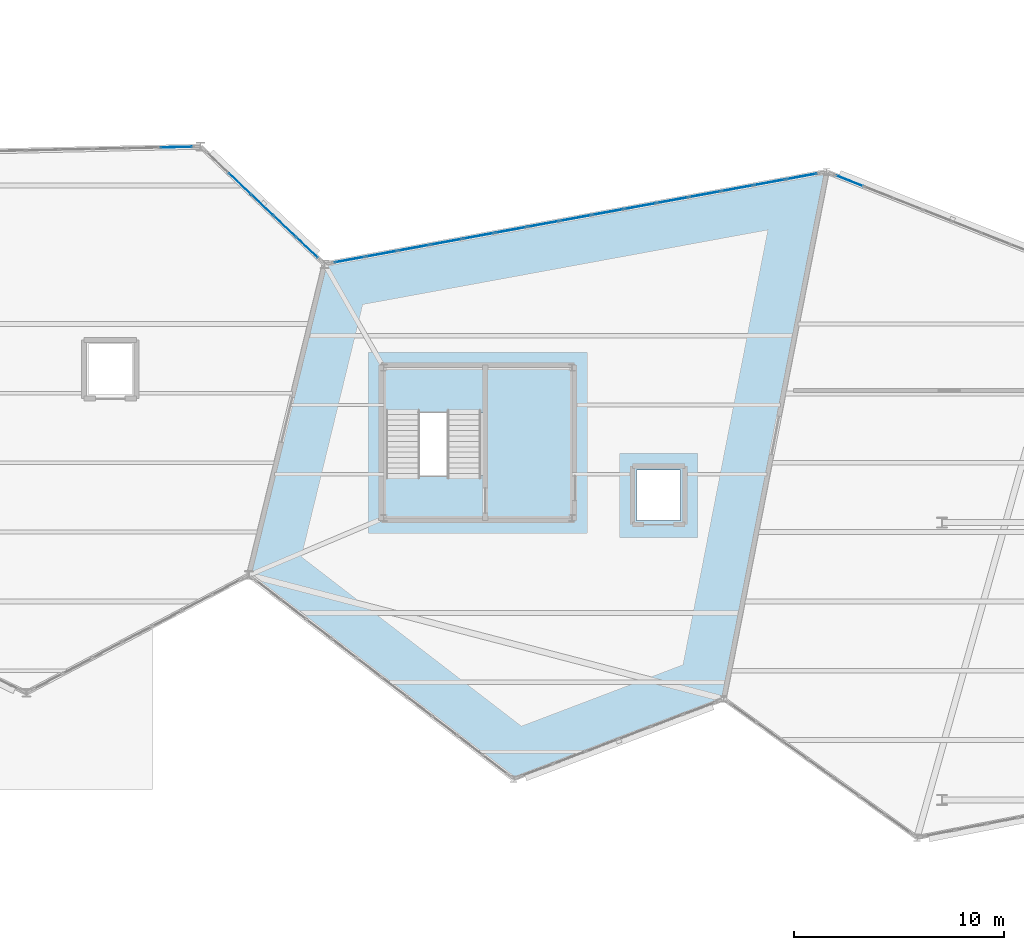
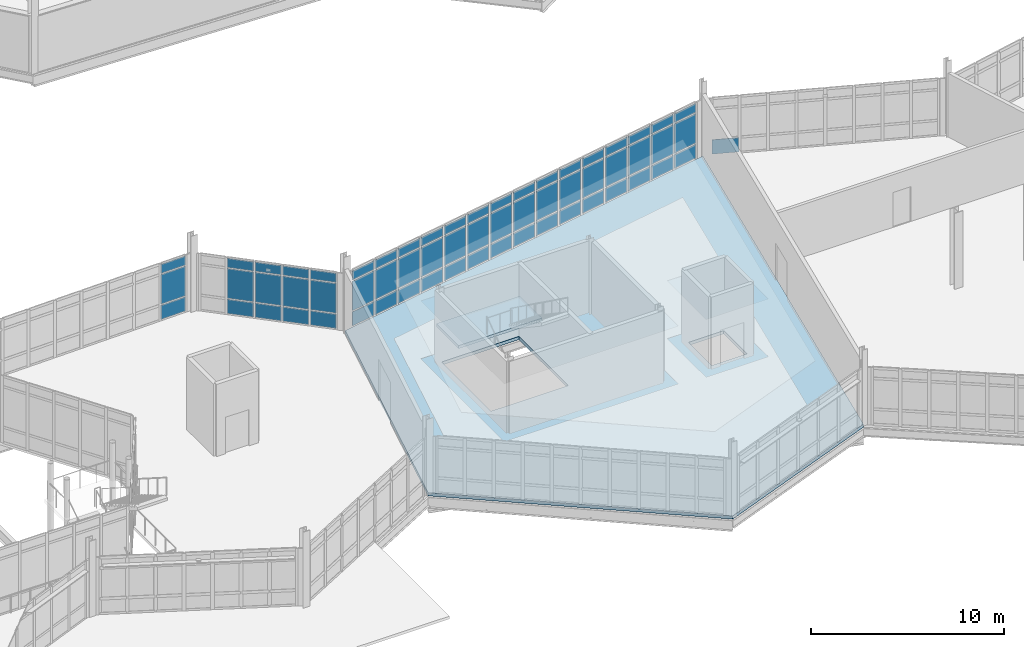
# One storey, part 90 of 134: 61 plates, 2 slabs, 5 elements without a shape of their own.
"""IFC4 building model written with IfcOpenShell, lengths in metres."""

from ifc_helpers import new_model, si_unit, direction, frame, origin, origin_2d, place, context, subcontext, project, spatial, polyline, rectangle, outline, extrude, material, layer, layer_set, type_object, element, aggregate, save


model = new_model("IFC4")

# Units and contexts
model_context = context("Model", 3, precision=1e-05, world=origin(), true_north=direction((0.0, 1.0)))
body_context = subcontext(model_context, "Body", "Model", "MODEL_VIEW")
ifc_project = project(units=[si_unit("LENGTHUNIT", "METRE"), si_unit("AREAUNIT", "SQUARE_METRE"), si_unit("VOLUMEUNIT", "CUBIC_METRE"), si_unit("PLANEANGLEUNIT", "RADIAN"), si_unit("MASSUNIT", "GRAM", prefix="KILO")], contexts=[model_context])

# Site, building, storey
site_placement = place(None, origin())
site = spatial("IfcSite", under=ifc_project, at=site_placement, CompositionType="ELEMENT")
building_placement = place(site_placement, origin())
building = spatial("IfcBuilding", under=site, at=building_placement, Name="Tameran Prism Museum", CompositionType="ELEMENT")
storey_placement = place(building_placement, frame((0.0, 0.0, 5.39990234375)))
storey = spatial("IfcBuildingStorey", under=building, at=storey_placement, Name="L01", CompositionType="ELEMENT", Elevation=5.39990234375)

# Curtain wall, plates
ifc_material_1 = material(Name="Anodised Aluminium 6063-T6 and Cyclone Solar Glass", Category="aluminium")
curtain_wall_type_1 = type_object("IfcCurtainWallType", Name="CW-FAC-738x362", PredefinedType="USERDEFINED", material=ifc_material_1)
curtain_wall_1_placement = place(storey_placement, origin())
curtain_wall_1 = element("IfcCurtainWall", 1, at=curtain_wall_1_placement, inside=storey, type_object=curtain_wall_type_1, Name="Unitised Curtain Wall CW-067", ObjectType="UNITISED CURTAIN WALL", PredefinedType="USERDEFINED")
ifc_material_2 = material(Name="Cyclone Laminated Solar Glass", Category="glass")
ifc_layer_1 = layer(ifc_material_2, 0.031982421875)
ifc_layer_set_1 = layer_set([ifc_layer_1])
plate_type = type_object("IfcPlateType", Name="CW-PNL-G32", PredefinedType="CURTAIN_PANEL", material=ifc_layer_set_1)
plate_1_placement = place(storey_placement, frame((97.65869140625, 46.8359375, 0.06494140625), z_axis=(0.0, 0.0, 1.0), x_axis=(0.725307438491, -0.688425100987, 0.0)))
plate_1 = element("IfcPlate", 2, at=plate_1_placement, type_object=plate_type, Name="CW-067 panel 2.1", PredefinedType="CURTAIN_PANEL", context=body_context, shape_type="SweptSolid", body=[
    extrude(rectangle(XDim=1.409912109375, YDim=0.031982421875, at=origin_2d()), origin(), (0.0, 0.0, 1.0), 0.902587890625),
])
plate_2_placement = place(storey_placement, frame((97.65869140625, 46.8359375, 1.03271484375), z_axis=(0.0, 0.0, 1.0), x_axis=(0.725307438491, -0.688425100987, 0.0)))
plate_2 = element("IfcPlate", 3, at=plate_2_placement, type_object=plate_type, Name="CW-067 panel 2.2", PredefinedType="CURTAIN_PANEL", context=body_context, shape_type="SweptSolid", body=[
    extrude(rectangle(XDim=1.409912109375, YDim=0.031982421875, at=origin_2d()), origin(), (0.0, 0.0, 1.0), 1.875),
])
plate_3_placement = place(storey_placement, frame((97.65869140625, 46.8359375, 2.97265625), z_axis=(0.0, 0.0, 1.0), x_axis=(0.725307438491, -0.688425100987, 0.0)))
plate_3 = element("IfcPlate", 4, at=plate_3_placement, type_object=plate_type, Name="CW-067 panel 2.3", PredefinedType="CURTAIN_PANEL", context=body_context, shape_type="SweptSolid", body=[
    extrude(rectangle(XDim=1.409912109375, YDim=0.031982421875, at=origin_2d()), origin(), (0.0, 0.0, 1.0), 0.58251953125),
])
plate_4_placement = place(storey_placement, frame((98.728515625, 45.820556640625, 0.06494140625), z_axis=(0.0, 0.0, 1.0), x_axis=(0.725307438491, -0.688425100987, 0.0)))
plate_4 = element("IfcPlate", 5, at=plate_4_placement, type_object=plate_type, Name="CW-067 panel 3.1", PredefinedType="CURTAIN_PANEL", context=body_context, shape_type="SweptSolid", body=[
    extrude(rectangle(XDim=1.409912109375, YDim=0.031982421875, at=origin_2d()), origin(), (0.0, 0.0, 1.0), 0.902587890625),
])
plate_5_placement = place(storey_placement, frame((98.728515625, 45.820556640625, 1.03271484375), z_axis=(0.0, 0.0, 1.0), x_axis=(0.725307438491, -0.688425100987, 0.0)))
plate_5 = element("IfcPlate", 6, at=plate_5_placement, type_object=plate_type, Name="CW-067 panel 3.2", PredefinedType="CURTAIN_PANEL", context=body_context, shape_type="SweptSolid", body=[
    extrude(rectangle(XDim=1.409912109375, YDim=0.031982421875, at=origin_2d()), origin(), (0.0, 0.0, 1.0), 1.875),
])
plate_6_placement = place(storey_placement, frame((98.728515625, 45.820556640625, 2.97265625), z_axis=(0.0, 0.0, 1.0), x_axis=(0.725307438491, -0.688425100987, 0.0)))
plate_6 = element("IfcPlate", 7, at=plate_6_placement, type_object=plate_type, Name="CW-067 panel 3.3", PredefinedType="CURTAIN_PANEL", context=body_context, shape_type="SweptSolid", body=[
    extrude(rectangle(XDim=1.409912109375, YDim=0.031982421875, at=origin_2d()), origin(), (0.0, 0.0, 1.0), 0.58251953125),
])
plate_7_placement = place(storey_placement, frame((99.79833984375, 44.80517578125, 0.06494140625), z_axis=(0.0, 0.0, 1.0), x_axis=(0.725307438491, -0.688425100987, 0.0)))
plate_7 = element("IfcPlate", 8, at=plate_7_placement, type_object=plate_type, Name="CW-067 panel 4.1", PredefinedType="CURTAIN_PANEL", context=body_context, shape_type="SweptSolid", body=[
    extrude(rectangle(XDim=1.409912109375, YDim=0.031982421875, at=origin_2d()), origin(), (0.0, 0.0, 1.0), 0.902587890625),
])
plate_8_placement = place(storey_placement, frame((99.79833984375, 44.80517578125, 1.03271484375), z_axis=(0.0, 0.0, 1.0), x_axis=(0.725307438491, -0.688425100987, 0.0)))
plate_8 = element("IfcPlate", 9, at=plate_8_placement, type_object=plate_type, Name="CW-067 panel 4.2", PredefinedType="CURTAIN_PANEL", context=body_context, shape_type="SweptSolid", body=[
    extrude(rectangle(XDim=1.409912109375, YDim=0.031982421875, at=origin_2d()), origin(), (0.0, 0.0, 1.0), 1.875),
])
plate_9_placement = place(storey_placement, frame((99.79833984375, 44.80517578125, 2.97265625), z_axis=(0.0, 0.0, 1.0), x_axis=(0.725307438491, -0.688425100987, 0.0)))
plate_9 = element("IfcPlate", 10, at=plate_9_placement, type_object=plate_type, Name="CW-067 panel 4.3", PredefinedType="CURTAIN_PANEL", context=body_context, shape_type="SweptSolid", body=[
    extrude(rectangle(XDim=1.409912109375, YDim=0.031982421875, at=origin_2d()), origin(), (0.0, 0.0, 1.0), 0.58251953125),
])
plate_10_placement = place(storey_placement, frame((100.856201171875, 43.80078125, 0.06494140625), z_axis=(0.0, 0.0, 1.0), x_axis=(0.725307438491, -0.688425100987, 0.0)))
plate_10 = element("IfcPlate", 11, at=plate_10_placement, type_object=plate_type, Name="CW-067 panel 5.1", PredefinedType="CURTAIN_PANEL", context=body_context, shape_type="SweptSolid", body=[
    extrude(rectangle(XDim=1.37744140625, YDim=0.031982421875, at=origin_2d()), origin(), (0.0, 0.0, 1.0), 0.902587890625),
])
plate_11_placement = place(storey_placement, frame((100.856201171875, 43.80078125, 1.03271484375), z_axis=(0.0, 0.0, 1.0), x_axis=(0.725307438491, -0.688425100987, 0.0)))
plate_11 = element("IfcPlate", 12, at=plate_11_placement, type_object=plate_type, Name="CW-067 panel 5.2", PredefinedType="CURTAIN_PANEL", context=body_context, shape_type="SweptSolid", body=[
    extrude(rectangle(XDim=1.37744140625, YDim=0.031982421875, at=origin_2d()), origin(), (0.0, 0.0, 1.0), 1.875),
])
plate_12_placement = place(storey_placement, frame((100.856201171875, 43.80078125, 2.97265625), z_axis=(0.0, 0.0, 1.0), x_axis=(0.725307438491, -0.688425100987, 0.0)))
plate_12 = element("IfcPlate", 13, at=plate_12_placement, type_object=plate_type, Name="CW-067 panel 5.3", PredefinedType="CURTAIN_PANEL", context=body_context, shape_type="SweptSolid", body=[
    extrude(rectangle(XDim=1.37744140625, YDim=0.031982421875, at=origin_2d()), origin(), (0.0, 0.0, 1.0), 0.58251953125),
])
aggregate(curtain_wall_1, [plate_1, plate_2, plate_3, plate_4, plate_5, plate_6, plate_7, plate_8, plate_9, plate_10, plate_11, plate_12])

ifc_material_3 = material(Name="Anodised Aluminium 6063-T6 and Cyclone Solar Glass", Category="aluminium")
curtain_wall_type_2 = type_object("IfcCurtainWallType", Name="CW-FAC-1754x362", PredefinedType="USERDEFINED", material=ifc_material_3)
curtain_wall_2_placement = place(storey_placement, origin())
curtain_wall_2 = element("IfcCurtainWall", 14, at=curtain_wall_2_placement, inside=storey, type_object=curtain_wall_type_2, Name="Unitised Curtain Wall CW-068", ObjectType="UNITISED CURTAIN WALL", PredefinedType="USERDEFINED")
plate_13_placement = place(storey_placement, frame((94.63525390625, 48.57421875, 0.070068359375), z_axis=(0.0, 0.0, 1.0), x_axis=(0.999761684053, 0.021830600058, 0.0)))
plate_13 = element("IfcPlate", 15, at=plate_13_placement, type_object=plate_type, Name="CW-068 panel 11.1", PredefinedType="CURTAIN_PANEL", context=body_context, shape_type="SweptSolid", body=[
    extrude(rectangle(XDim=1.489990234375, YDim=0.031982421875, at=origin_2d()), origin(), (0.0, 0.0, 1.0), 0.89501953125),
])
plate_14_placement = place(storey_placement, frame((94.63525390625, 48.57421875, 1.03515625), z_axis=(0.0, 0.0, 1.0), x_axis=(0.999761684053, 0.021830600058, 0.0)))
plate_14 = element("IfcPlate", 16, at=plate_14_placement, type_object=plate_type, Name="CW-068 panel 11.2", PredefinedType="CURTAIN_PANEL", context=body_context, shape_type="SweptSolid", body=[
    extrude(rectangle(XDim=1.489990234375, YDim=0.031982421875, at=origin_2d()), origin(), (0.0, 0.0, 1.0), 1.8701171875),
])
plate_15_placement = place(storey_placement, frame((94.63525390625, 48.57421875, 2.97509765625), z_axis=(0.0, 0.0, 1.0), x_axis=(0.999761684053, 0.021830600058, 0.0)))
plate_15 = element("IfcPlate", 17, at=plate_15_placement, type_object=plate_type, Name="CW-068 panel 11.3", PredefinedType="CURTAIN_PANEL", context=body_context, shape_type="SweptSolid", body=[
    extrude(rectangle(XDim=1.489990234375, YDim=0.031982421875, at=origin_2d()), origin(), (0.0, 0.0, 1.0), 0.574951171875),
])
aggregate(curtain_wall_2, [plate_13, plate_14, plate_15])

ifc_material_4 = material(Name="Anodised Aluminium 6063-T6 and Cyclone Solar Glass", Category="aluminium")
curtain_wall_type_3 = type_object("IfcCurtainWallType", Name="CW-FAC-2348x362", PredefinedType="USERDEFINED", material=ifc_material_4)
curtain_wall_3_placement = place(storey_placement, origin())
curtain_wall_3 = element("IfcCurtainWall", 18, at=curtain_wall_3_placement, inside=storey, type_object=curtain_wall_type_3, Name="Unitised Curtain Wall CW-074", ObjectType="UNITISED CURTAIN WALL", PredefinedType="USERDEFINED")
plate_16_placement = place(storey_placement, frame((102.892333984375, 43.21923828125, 0.080078125), z_axis=(0.0, 0.0, 1.0), x_axis=(0.98347155585, 0.181062693106, 0.0)))
plate_16 = element("IfcPlate", 19, at=plate_16_placement, type_object=plate_type, Name="CW-074 panel 1.1", PredefinedType="CURTAIN_PANEL", context=body_context, shape_type="SweptSolid", body=[
    extrude(rectangle(XDim=1.4453125, YDim=0.031982421875, at=origin_2d()), origin(), (0.0, 0.0, 1.0), 0.8798828125),
])
plate_17_placement = place(storey_placement, frame((102.892333984375, 43.21923828125, 1.0400390625), z_axis=(0.0, 0.0, 1.0), x_axis=(0.98347155585, 0.181062693106, 0.0)))
plate_17 = element("IfcPlate", 20, at=plate_17_placement, type_object=plate_type, Name="CW-074 panel 1.2", PredefinedType="CURTAIN_PANEL", context=body_context, shape_type="SweptSolid", body=[
    extrude(rectangle(XDim=1.4453125, YDim=0.031982421875, at=origin_2d()), origin(), (0.0, 0.0, 1.0), 1.860107421875),
])
plate_18_placement = place(storey_placement, frame((102.892333984375, 43.21923828125, 2.97998046875), z_axis=(0.0, 0.0, 1.0), x_axis=(0.98347155585, 0.181062693106, 0.0)))
plate_18 = element("IfcPlate", 21, at=plate_18_placement, type_object=plate_type, Name="CW-074 panel 1.3", PredefinedType="CURTAIN_PANEL", context=body_context, shape_type="SweptSolid", body=[
    extrude(rectangle(XDim=1.4453125, YDim=0.031982421875, at=origin_2d()), origin(), (0.0, 0.0, 1.0), 0.56005859375),
])
plate_19_placement = place(storey_placement, frame((104.412109375, 43.4990234375, 0.080078125), z_axis=(0.0, 0.0, 1.0), x_axis=(0.98347155585, 0.181062693106, 0.0)))
plate_19 = element("IfcPlate", 22, at=plate_19_placement, type_object=plate_type, Name="CW-074 panel 2.1", PredefinedType="CURTAIN_PANEL", context=body_context, shape_type="SweptSolid", body=[
    extrude(rectangle(XDim=1.485107421875, YDim=0.031982421875, at=origin_2d()), origin(), (0.0, 0.0, 1.0), 0.8798828125),
])
plate_20_placement = place(storey_placement, frame((104.412109375, 43.4990234375, 1.0400390625), z_axis=(0.0, 0.0, 1.0), x_axis=(0.98347155585, 0.181062693106, 0.0)))
plate_20 = element("IfcPlate", 23, at=plate_20_placement, type_object=plate_type, Name="CW-074 panel 2.2", PredefinedType="CURTAIN_PANEL", context=body_context, shape_type="SweptSolid", body=[
    extrude(rectangle(XDim=1.485107421875, YDim=0.031982421875, at=origin_2d()), origin(), (0.0, 0.0, 1.0), 1.860107421875),
])
plate_21_placement = place(storey_placement, frame((104.412109375, 43.4990234375, 2.97998046875), z_axis=(0.0, 0.0, 1.0), x_axis=(0.98347155585, 0.181062693106, 0.0)))
plate_21 = element("IfcPlate", 24, at=plate_21_placement, type_object=plate_type, Name="CW-074 panel 2.3", PredefinedType="CURTAIN_PANEL", context=body_context, shape_type="SweptSolid", body=[
    extrude(rectangle(XDim=1.485107421875, YDim=0.031982421875, at=origin_2d()), origin(), (0.0, 0.0, 1.0), 0.56005859375),
])
plate_22_placement = place(storey_placement, frame((105.951416015625, 43.782470703125, 0.080078125), z_axis=(0.0, 0.0, 1.0), x_axis=(0.98347155585, 0.181062693106, 0.0)))
plate_22 = element("IfcPlate", 25, at=plate_22_placement, type_object=plate_type, Name="CW-074 panel 3.1", PredefinedType="CURTAIN_PANEL", context=body_context, shape_type="SweptSolid", body=[
    extrude(rectangle(XDim=1.485107421875, YDim=0.031982421875, at=origin_2d()), origin(), (0.0, 0.0, 1.0), 0.8798828125),
])
plate_23_placement = place(storey_placement, frame((105.951416015625, 43.782470703125, 1.0400390625), z_axis=(0.0, 0.0, 1.0), x_axis=(0.98347155585, 0.181062693106, 0.0)))
plate_23 = element("IfcPlate", 26, at=plate_23_placement, type_object=plate_type, Name="CW-074 panel 3.2", PredefinedType="CURTAIN_PANEL", context=body_context, shape_type="SweptSolid", body=[
    extrude(rectangle(XDim=1.485107421875, YDim=0.031982421875, at=origin_2d()), origin(), (0.0, 0.0, 1.0), 1.860107421875),
])
plate_24_placement = place(storey_placement, frame((105.951416015625, 43.782470703125, 2.97998046875), z_axis=(0.0, 0.0, 1.0), x_axis=(0.98347155585, 0.181062693106, 0.0)))
plate_24 = element("IfcPlate", 27, at=plate_24_placement, type_object=plate_type, Name="CW-074 panel 3.3", PredefinedType="CURTAIN_PANEL", context=body_context, shape_type="SweptSolid", body=[
    extrude(rectangle(XDim=1.485107421875, YDim=0.031982421875, at=origin_2d()), origin(), (0.0, 0.0, 1.0), 0.56005859375),
])
plate_25_placement = place(storey_placement, frame((107.49072265625, 44.06591796875, 0.080078125), z_axis=(0.0, 0.0, 1.0), x_axis=(0.98347155585, 0.181062693106, 0.0)))
plate_25 = element("IfcPlate", 28, at=plate_25_placement, type_object=plate_type, Name="CW-074 panel 4.1", PredefinedType="CURTAIN_PANEL", context=body_context, shape_type="SweptSolid", body=[
    extrude(rectangle(XDim=1.485107421875, YDim=0.031982421875, at=origin_2d()), origin(), (0.0, 0.0, 1.0), 0.8798828125),
])
plate_26_placement = place(storey_placement, frame((107.49072265625, 44.06591796875, 1.0400390625), z_axis=(0.0, 0.0, 1.0), x_axis=(0.98347155585, 0.181062693106, 0.0)))
plate_26 = element("IfcPlate", 29, at=plate_26_placement, type_object=plate_type, Name="CW-074 panel 4.2", PredefinedType="CURTAIN_PANEL", context=body_context, shape_type="SweptSolid", body=[
    extrude(rectangle(XDim=1.485107421875, YDim=0.031982421875, at=origin_2d()), origin(), (0.0, 0.0, 1.0), 1.860107421875),
])
plate_27_placement = place(storey_placement, frame((107.49072265625, 44.06591796875, 2.97998046875), z_axis=(0.0, 0.0, 1.0), x_axis=(0.98347155585, 0.181062693106, 0.0)))
plate_27 = element("IfcPlate", 30, at=plate_27_placement, type_object=plate_type, Name="CW-074 panel 4.3", PredefinedType="CURTAIN_PANEL", context=body_context, shape_type="SweptSolid", body=[
    extrude(rectangle(XDim=1.485107421875, YDim=0.031982421875, at=origin_2d()), origin(), (0.0, 0.0, 1.0), 0.56005859375),
])
plate_28_placement = place(storey_placement, frame((109.030029296875, 44.349365234375, 0.080078125), z_axis=(0.0, 0.0, 1.0), x_axis=(0.98347155585, 0.181062693106, 0.0)))
plate_28 = element("IfcPlate", 31, at=plate_28_placement, type_object=plate_type, Name="CW-074 panel 5.1", PredefinedType="CURTAIN_PANEL", context=body_context, shape_type="SweptSolid", body=[
    extrude(rectangle(XDim=1.485107421875, YDim=0.031982421875, at=origin_2d()), origin(), (0.0, 0.0, 1.0), 0.8798828125),
])
plate_29_placement = place(storey_placement, frame((109.030029296875, 44.349365234375, 1.0400390625), z_axis=(0.0, 0.0, 1.0), x_axis=(0.98347155585, 0.181062693106, 0.0)))
plate_29 = element("IfcPlate", 32, at=plate_29_placement, type_object=plate_type, Name="CW-074 panel 5.2", PredefinedType="CURTAIN_PANEL", context=body_context, shape_type="SweptSolid", body=[
    extrude(rectangle(XDim=1.485107421875, YDim=0.031982421875, at=origin_2d()), origin(), (0.0, 0.0, 1.0), 1.860107421875),
])
plate_30_placement = place(storey_placement, frame((109.030029296875, 44.349365234375, 2.97998046875), z_axis=(0.0, 0.0, 1.0), x_axis=(0.98347155585, 0.181062693106, 0.0)))
plate_30 = element("IfcPlate", 33, at=plate_30_placement, type_object=plate_type, Name="CW-074 panel 5.3", PredefinedType="CURTAIN_PANEL", context=body_context, shape_type="SweptSolid", body=[
    extrude(rectangle(XDim=1.485107421875, YDim=0.031982421875, at=origin_2d()), origin(), (0.0, 0.0, 1.0), 0.56005859375),
])
plate_31_placement = place(storey_placement, frame((110.5693359375, 44.6328125, 0.080078125), z_axis=(0.0, 0.0, 1.0), x_axis=(0.98347155585, 0.181062693106, 0.0)))
plate_31 = element("IfcPlate", 34, at=plate_31_placement, type_object=plate_type, Name="CW-074 panel 6.1", PredefinedType="CURTAIN_PANEL", context=body_context, shape_type="SweptSolid", body=[
    extrude(rectangle(XDim=1.485107421875, YDim=0.031982421875, at=origin_2d()), origin(), (0.0, 0.0, 1.0), 0.8798828125),
])
plate_32_placement = place(storey_placement, frame((110.5693359375, 44.6328125, 1.0400390625), z_axis=(0.0, 0.0, 1.0), x_axis=(0.98347155585, 0.181062693106, 0.0)))
plate_32 = element("IfcPlate", 35, at=plate_32_placement, type_object=plate_type, Name="CW-074 panel 6.2", PredefinedType="CURTAIN_PANEL", context=body_context, shape_type="SweptSolid", body=[
    extrude(rectangle(XDim=1.485107421875, YDim=0.031982421875, at=origin_2d()), origin(), (0.0, 0.0, 1.0), 1.860107421875),
])
plate_33_placement = place(storey_placement, frame((110.5693359375, 44.6328125, 2.97998046875), z_axis=(0.0, 0.0, 1.0), x_axis=(0.98347155585, 0.181062693106, 0.0)))
plate_33 = element("IfcPlate", 36, at=plate_33_placement, type_object=plate_type, Name="CW-074 panel 6.3", PredefinedType="CURTAIN_PANEL", context=body_context, shape_type="SweptSolid", body=[
    extrude(rectangle(XDim=1.485107421875, YDim=0.031982421875, at=origin_2d()), origin(), (0.0, 0.0, 1.0), 0.56005859375),
])
plate_34_placement = place(storey_placement, frame((112.108642578125, 44.916015625, 0.080078125), z_axis=(0.0, 0.0, 1.0), x_axis=(0.98347155585, 0.181062693106, 0.0)))
plate_34 = element("IfcPlate", 37, at=plate_34_placement, type_object=plate_type, Name="CW-074 panel 7.1", PredefinedType="CURTAIN_PANEL", context=body_context, shape_type="SweptSolid", body=[
    extrude(rectangle(XDim=1.485107421875, YDim=0.031982421875, at=origin_2d()), origin(), (0.0, 0.0, 1.0), 0.8798828125),
])
plate_35_placement = place(storey_placement, frame((112.108642578125, 44.916015625, 1.0400390625), z_axis=(0.0, 0.0, 1.0), x_axis=(0.98347155585, 0.181062693106, 0.0)))
plate_35 = element("IfcPlate", 38, at=plate_35_placement, type_object=plate_type, Name="CW-074 panel 7.2", PredefinedType="CURTAIN_PANEL", context=body_context, shape_type="SweptSolid", body=[
    extrude(rectangle(XDim=1.485107421875, YDim=0.031982421875, at=origin_2d()), origin(), (0.0, 0.0, 1.0), 1.860107421875),
])
plate_36_placement = place(storey_placement, frame((112.108642578125, 44.916015625, 2.97998046875), z_axis=(0.0, 0.0, 1.0), x_axis=(0.98347155585, 0.181062693106, 0.0)))
plate_36 = element("IfcPlate", 39, at=plate_36_placement, type_object=plate_type, Name="CW-074 panel 7.3", PredefinedType="CURTAIN_PANEL", context=body_context, shape_type="SweptSolid", body=[
    extrude(rectangle(XDim=1.485107421875, YDim=0.031982421875, at=origin_2d()), origin(), (0.0, 0.0, 1.0), 0.56005859375),
])
plate_37_placement = place(storey_placement, frame((113.64794921875, 45.199462890625, 0.080078125), z_axis=(0.0, 0.0, 1.0), x_axis=(0.98347155585, 0.181062693106, 0.0)))
plate_37 = element("IfcPlate", 40, at=plate_37_placement, type_object=plate_type, Name="CW-074 panel 8.1", PredefinedType="CURTAIN_PANEL", context=body_context, shape_type="SweptSolid", body=[
    extrude(rectangle(XDim=1.485107421875, YDim=0.031982421875, at=origin_2d()), origin(), (0.0, 0.0, 1.0), 0.8798828125),
])
plate_38_placement = place(storey_placement, frame((113.64794921875, 45.199462890625, 1.0400390625), z_axis=(0.0, 0.0, 1.0), x_axis=(0.98347155585, 0.181062693106, 0.0)))
plate_38 = element("IfcPlate", 41, at=plate_38_placement, type_object=plate_type, Name="CW-074 panel 8.2", PredefinedType="CURTAIN_PANEL", context=body_context, shape_type="SweptSolid", body=[
    extrude(rectangle(XDim=1.485107421875, YDim=0.031982421875, at=origin_2d()), origin(), (0.0, 0.0, 1.0), 1.860107421875),
])
plate_39_placement = place(storey_placement, frame((113.64794921875, 45.199462890625, 2.97998046875), z_axis=(0.0, 0.0, 1.0), x_axis=(0.98347155585, 0.181062693106, 0.0)))
plate_39 = element("IfcPlate", 42, at=plate_39_placement, type_object=plate_type, Name="CW-074 panel 8.3", PredefinedType="CURTAIN_PANEL", context=body_context, shape_type="SweptSolid", body=[
    extrude(rectangle(XDim=1.485107421875, YDim=0.031982421875, at=origin_2d()), origin(), (0.0, 0.0, 1.0), 0.56005859375),
])
plate_40_placement = place(storey_placement, frame((115.187255859375, 45.48291015625, 0.080078125), z_axis=(0.0, 0.0, 1.0), x_axis=(0.98347155585, 0.181062693106, 0.0)))
plate_40 = element("IfcPlate", 43, at=plate_40_placement, type_object=plate_type, Name="CW-074 panel 9.1", PredefinedType="CURTAIN_PANEL", context=body_context, shape_type="SweptSolid", body=[
    extrude(rectangle(XDim=1.485107421875, YDim=0.031982421875, at=origin_2d()), origin(), (0.0, 0.0, 1.0), 0.8798828125),
])
plate_41_placement = place(storey_placement, frame((115.187255859375, 45.48291015625, 1.0400390625), z_axis=(0.0, 0.0, 1.0), x_axis=(0.98347155585, 0.181062693106, 0.0)))
plate_41 = element("IfcPlate", 44, at=plate_41_placement, type_object=plate_type, Name="CW-074 panel 9.2", PredefinedType="CURTAIN_PANEL", context=body_context, shape_type="SweptSolid", body=[
    extrude(rectangle(XDim=1.485107421875, YDim=0.031982421875, at=origin_2d()), origin(), (0.0, 0.0, 1.0), 1.860107421875),
])
plate_42_placement = place(storey_placement, frame((115.187255859375, 45.48291015625, 2.97998046875), z_axis=(0.0, 0.0, 1.0), x_axis=(0.98347155585, 0.181062693106, 0.0)))
plate_42 = element("IfcPlate", 45, at=plate_42_placement, type_object=plate_type, Name="CW-074 panel 9.3", PredefinedType="CURTAIN_PANEL", context=body_context, shape_type="SweptSolid", body=[
    extrude(rectangle(XDim=1.485107421875, YDim=0.031982421875, at=origin_2d()), origin(), (0.0, 0.0, 1.0), 0.56005859375),
])
plate_43_placement = place(storey_placement, frame((116.7265625, 45.766357421875, 0.080078125), z_axis=(0.0, 0.0, 1.0), x_axis=(0.98347155585, 0.181062693106, 0.0)))
plate_43 = element("IfcPlate", 46, at=plate_43_placement, type_object=plate_type, Name="CW-074 panel 10.1", PredefinedType="CURTAIN_PANEL", context=body_context, shape_type="SweptSolid", body=[
    extrude(rectangle(XDim=1.485107421875, YDim=0.031982421875, at=origin_2d()), origin(), (0.0, 0.0, 1.0), 0.8798828125),
])
plate_44_placement = place(storey_placement, frame((116.7265625, 45.766357421875, 1.0400390625), z_axis=(0.0, 0.0, 1.0), x_axis=(0.98347155585, 0.181062693106, 0.0)))
plate_44 = element("IfcPlate", 47, at=plate_44_placement, type_object=plate_type, Name="CW-074 panel 10.2", PredefinedType="CURTAIN_PANEL", context=body_context, shape_type="SweptSolid", body=[
    extrude(rectangle(XDim=1.485107421875, YDim=0.031982421875, at=origin_2d()), origin(), (0.0, 0.0, 1.0), 1.860107421875),
])
plate_45_placement = place(storey_placement, frame((116.7265625, 45.766357421875, 2.97998046875), z_axis=(0.0, 0.0, 1.0), x_axis=(0.98347155585, 0.181062693106, 0.0)))
plate_45 = element("IfcPlate", 48, at=plate_45_placement, type_object=plate_type, Name="CW-074 panel 10.3", PredefinedType="CURTAIN_PANEL", context=body_context, shape_type="SweptSolid", body=[
    extrude(rectangle(XDim=1.485107421875, YDim=0.031982421875, at=origin_2d()), origin(), (0.0, 0.0, 1.0), 0.56005859375),
])
plate_46_placement = place(storey_placement, frame((118.26611328125, 46.0498046875, 0.080078125), z_axis=(0.0, 0.0, 1.0), x_axis=(0.98347155585, 0.181062693106, 0.0)))
plate_46 = element("IfcPlate", 49, at=plate_46_placement, type_object=plate_type, Name="CW-074 panel 11.1", PredefinedType="CURTAIN_PANEL", context=body_context, shape_type="SweptSolid", body=[
    extrude(rectangle(XDim=1.485107421875, YDim=0.031982421875, at=origin_2d()), origin(), (0.0, 0.0, 1.0), 0.8798828125),
])
plate_47_placement = place(storey_placement, frame((118.26611328125, 46.0498046875, 1.0400390625), z_axis=(0.0, 0.0, 1.0), x_axis=(0.98347155585, 0.181062693106, 0.0)))
plate_47 = element("IfcPlate", 50, at=plate_47_placement, type_object=plate_type, Name="CW-074 panel 11.2", PredefinedType="CURTAIN_PANEL", context=body_context, shape_type="SweptSolid", body=[
    extrude(rectangle(XDim=1.485107421875, YDim=0.031982421875, at=origin_2d()), origin(), (0.0, 0.0, 1.0), 1.860107421875),
])
plate_48_placement = place(storey_placement, frame((118.26611328125, 46.0498046875, 2.97998046875), z_axis=(0.0, 0.0, 1.0), x_axis=(0.98347155585, 0.181062693106, 0.0)))
plate_48 = element("IfcPlate", 51, at=plate_48_placement, type_object=plate_type, Name="CW-074 panel 11.3", PredefinedType="CURTAIN_PANEL", context=body_context, shape_type="SweptSolid", body=[
    extrude(rectangle(XDim=1.485107421875, YDim=0.031982421875, at=origin_2d()), origin(), (0.0, 0.0, 1.0), 0.56005859375),
])
plate_49_placement = place(storey_placement, frame((119.805419921875, 46.3330078125, 0.080078125), z_axis=(0.0, 0.0, 1.0), x_axis=(0.98347155585, 0.181062693106, 0.0)))
plate_49 = element("IfcPlate", 52, at=plate_49_placement, type_object=plate_type, Name="CW-074 panel 12.1", PredefinedType="CURTAIN_PANEL", context=body_context, shape_type="SweptSolid", body=[
    extrude(rectangle(XDim=1.485107421875, YDim=0.031982421875, at=origin_2d()), origin(), (0.0, 0.0, 1.0), 0.8798828125),
])
plate_50_placement = place(storey_placement, frame((119.805419921875, 46.3330078125, 1.0400390625), z_axis=(0.0, 0.0, 1.0), x_axis=(0.98347155585, 0.181062693106, 0.0)))
plate_50 = element("IfcPlate", 53, at=plate_50_placement, type_object=plate_type, Name="CW-074 panel 12.2", PredefinedType="CURTAIN_PANEL", context=body_context, shape_type="SweptSolid", body=[
    extrude(rectangle(XDim=1.485107421875, YDim=0.031982421875, at=origin_2d()), origin(), (0.0, 0.0, 1.0), 1.860107421875),
])
plate_51_placement = place(storey_placement, frame((119.805419921875, 46.3330078125, 2.97998046875), z_axis=(0.0, 0.0, 1.0), x_axis=(0.98347155585, 0.181062693106, 0.0)))
plate_51 = element("IfcPlate", 54, at=plate_51_placement, type_object=plate_type, Name="CW-074 panel 12.3", PredefinedType="CURTAIN_PANEL", context=body_context, shape_type="SweptSolid", body=[
    extrude(rectangle(XDim=1.485107421875, YDim=0.031982421875, at=origin_2d()), origin(), (0.0, 0.0, 1.0), 0.56005859375),
])
plate_52_placement = place(storey_placement, frame((121.3447265625, 46.616455078125, 0.080078125), z_axis=(0.0, 0.0, 1.0), x_axis=(0.98347155585, 0.181062693106, 0.0)))
plate_52 = element("IfcPlate", 55, at=plate_52_placement, type_object=plate_type, Name="CW-074 panel 13.1", PredefinedType="CURTAIN_PANEL", context=body_context, shape_type="SweptSolid", body=[
    extrude(rectangle(XDim=1.485107421875, YDim=0.031982421875, at=origin_2d()), origin(), (0.0, 0.0, 1.0), 0.8798828125),
])
plate_53_placement = place(storey_placement, frame((121.3447265625, 46.616455078125, 1.0400390625), z_axis=(0.0, 0.0, 1.0), x_axis=(0.98347155585, 0.181062693106, 0.0)))
plate_53 = element("IfcPlate", 56, at=plate_53_placement, type_object=plate_type, Name="CW-074 panel 13.2", PredefinedType="CURTAIN_PANEL", context=body_context, shape_type="SweptSolid", body=[
    extrude(rectangle(XDim=1.485107421875, YDim=0.031982421875, at=origin_2d()), origin(), (0.0, 0.0, 1.0), 1.860107421875),
])
plate_54_placement = place(storey_placement, frame((121.3447265625, 46.616455078125, 2.97998046875), z_axis=(0.0, 0.0, 1.0), x_axis=(0.98347155585, 0.181062693106, 0.0)))
plate_54 = element("IfcPlate", 57, at=plate_54_placement, type_object=plate_type, Name="CW-074 panel 13.3", PredefinedType="CURTAIN_PANEL", context=body_context, shape_type="SweptSolid", body=[
    extrude(rectangle(XDim=1.485107421875, YDim=0.031982421875, at=origin_2d()), origin(), (0.0, 0.0, 1.0), 0.56005859375),
])
plate_55_placement = place(storey_placement, frame((122.884033203125, 46.89990234375, 0.080078125), z_axis=(0.0, 0.0, 1.0), x_axis=(0.98347155585, 0.181062693106, 0.0)))
plate_55 = element("IfcPlate", 58, at=plate_55_placement, type_object=plate_type, Name="CW-074 panel 14.1", PredefinedType="CURTAIN_PANEL", context=body_context, shape_type="SweptSolid", body=[
    extrude(rectangle(XDim=1.485107421875, YDim=0.031982421875, at=origin_2d()), origin(), (0.0, 0.0, 1.0), 0.8798828125),
])
plate_56_placement = place(storey_placement, frame((122.884033203125, 46.89990234375, 1.0400390625), z_axis=(0.0, 0.0, 1.0), x_axis=(0.98347155585, 0.181062693106, 0.0)))
plate_56 = element("IfcPlate", 59, at=plate_56_placement, type_object=plate_type, Name="CW-074 panel 14.2", PredefinedType="CURTAIN_PANEL", context=body_context, shape_type="SweptSolid", body=[
    extrude(rectangle(XDim=1.485107421875, YDim=0.031982421875, at=origin_2d()), origin(), (0.0, 0.0, 1.0), 1.860107421875),
])
plate_57_placement = place(storey_placement, frame((122.884033203125, 46.89990234375, 2.97998046875), z_axis=(0.0, 0.0, 1.0), x_axis=(0.98347155585, 0.181062693106, 0.0)))
plate_57 = element("IfcPlate", 60, at=plate_57_placement, type_object=plate_type, Name="CW-074 panel 14.3", PredefinedType="CURTAIN_PANEL", context=body_context, shape_type="SweptSolid", body=[
    extrude(rectangle(XDim=1.485107421875, YDim=0.031982421875, at=origin_2d()), origin(), (0.0, 0.0, 1.0), 0.56005859375),
])
plate_58_placement = place(storey_placement, frame((124.403564453125, 47.1796875, 0.080078125), z_axis=(0.0, 0.0, 1.0), x_axis=(0.98347155585, 0.181062693106, 0.0)))
plate_58 = element("IfcPlate", 61, at=plate_58_placement, type_object=plate_type, Name="CW-074 panel 15.1", PredefinedType="CURTAIN_PANEL", context=body_context, shape_type="SweptSolid", body=[
    extrude(rectangle(XDim=1.4453125, YDim=0.031982421875, at=origin_2d()), origin(), (0.0, 0.0, 1.0), 0.8798828125),
])
plate_59_placement = place(storey_placement, frame((124.403564453125, 47.1796875, 1.0400390625), z_axis=(0.0, 0.0, 1.0), x_axis=(0.98347155585, 0.181062693106, 0.0)))
plate_59 = element("IfcPlate", 62, at=plate_59_placement, type_object=plate_type, Name="CW-074 panel 15.2", PredefinedType="CURTAIN_PANEL", context=body_context, shape_type="SweptSolid", body=[
    extrude(rectangle(XDim=1.4453125, YDim=0.031982421875, at=origin_2d()), origin(), (0.0, 0.0, 1.0), 1.860107421875),
])
plate_60_placement = place(storey_placement, frame((124.403564453125, 47.1796875, 2.97998046875), z_axis=(0.0, 0.0, 1.0), x_axis=(0.98347155585, 0.181062693106, 0.0)))
plate_60 = element("IfcPlate", 63, at=plate_60_placement, type_object=plate_type, Name="CW-074 panel 15.3", PredefinedType="CURTAIN_PANEL", context=body_context, shape_type="SweptSolid", body=[
    extrude(rectangle(XDim=1.4453125, YDim=0.031982421875, at=origin_2d()), origin(), (0.0, 0.0, 1.0), 0.56005859375),
])
aggregate(curtain_wall_3, [plate_16, plate_17, plate_18, plate_19, plate_20, plate_21, plate_22, plate_23, plate_24, plate_25, plate_26, plate_27, plate_28, plate_29, plate_30, plate_31, plate_32, plate_33, plate_34, plate_35, plate_36, plate_37, plate_38, plate_39, plate_40, plate_41, plate_42, plate_43, plate_44, plate_45, plate_46, plate_47, plate_48, plate_49, plate_50, plate_51, plate_52, plate_53, plate_54, plate_55, plate_56, plate_57, plate_58, plate_59, plate_60])

# Curtain wall, plate
ifc_material_5 = material(Name="Anodised Aluminium 6063-T6 and Cyclone Solar Glass", Category="aluminium")
curtain_wall_type_4 = type_object("IfcCurtainWallType", Name="CW-FAC-1197x362", PredefinedType="USERDEFINED", material=ifc_material_5)
curtain_wall_4_placement = place(storey_placement, origin())
curtain_wall_4 = element("IfcCurtainWall", 64, at=curtain_wall_4_placement, inside=storey, type_object=curtain_wall_type_4, Name="Unitised Curtain Wall CW-075", ObjectType="UNITISED CURTAIN WALL", PredefinedType="USERDEFINED")
plate_61_placement = place(storey_placement, frame((126.694091796875, 46.96826171875, 0.06494140625), z_axis=(0.0, 0.0, 1.0), x_axis=(0.930080883146, -0.367354802346, 0.0)))
plate_61 = element("IfcPlate", 65, at=plate_61_placement, type_object=plate_type, Name="CW-075 panel 1.1", PredefinedType="CURTAIN_PANEL", context=body_context, shape_type="SweptSolid", body=[
    extrude(rectangle(XDim=1.39892578125, YDim=0.031982421875, at=origin_2d()), origin(), (0.0, 0.0, 1.0), 0.902587890625),
])
aggregate(curtain_wall_4, [plate_61])

# Slab
ifc_material_6 = material(Name="Concrete N32 (32 MPa)", Category="concrete")
ifc_layer_2 = layer(ifc_material_6, 0.199951171875)
ifc_layer_set_2 = layer_set([ifc_layer_2])
slab_type_1 = type_object("IfcSlabType", Name="SL-FLR-200", PredefinedType="FLOOR", material=ifc_layer_set_2)
slab_1_placement = place(storey_placement, frame((0.0, 0.0, -0.199951171875)))
element("IfcSlab", 66, at=slab_1_placement, inside=storey, type_object=slab_type_1, Name="Floor Slab FS-P08-L01", PredefinedType="FLOOR", context=body_context, shape_type="SweptSolid", body=[
    extrude(outline(polyline([(101.699951171875, 43.0), (125.60009765625, 47.39990234375), (120.699951171875, 22.300048828125), (110.699951171875, 18.5), (98.10009765625, 28.199951171875), (101.699951171875, 43.0)]), holes=[polyline([(118.64990234375, 30.800048828125), (118.64990234375, 33.199951171875), (116.550048828125, 33.199951171875), (116.550048828125, 30.800048828125), (118.64990234375, 30.800048828125)]), polyline([(109.219970703125, 32.93994140625), (109.219970703125, 38.050048828125), (104.60009765625, 38.050048828125), (104.60009765625, 32.93994140625), (109.219970703125, 32.93994140625)])]), origin(), (0.0, 0.0, 1.0), 0.199951171875),
])

# Stair, slab
ifc_material_7 = material(Name="Concrete N40 (40 MPa)", Category="concrete")
stair_type = type_object("IfcStairType", Name="ST-CORE-48", PredefinedType="HALF_TURN_STAIR", material=ifc_material_7)
stair_placement = place(storey_placement, origin())
stair = element("IfcStair", 67, at=stair_placement, inside=storey, type_object=stair_type, Name="Fire-Isolated Stair ST-04-L01", PredefinedType="HALF_TURN_STAIR")
ifc_material_8 = material(Name="Concrete N40 (40 MPa)", Category="concrete")
ifc_layer_3 = layer(ifc_material_8, 0.18505859375)
ifc_layer_set_3 = layer_set([ifc_layer_3])
slab_type_2 = type_object("IfcSlabType", Name="SL-LND-185", PredefinedType="LANDING", material=ifc_layer_set_3)
slab_2_placement = place(storey_placement, frame((0.0, 0.0, 2.215087890625)))
slab_2 = element("IfcSlab", 68, at=slab_2_placement, type_object=slab_type_2, Name="ST-04-L01 landing 1", PredefinedType="LANDING", context=body_context, shape_type="SweptSolid", body=[
    extrude(outline(polyline([(104.3798828125, 35.9150390625), (109.3701171875, 35.9150390625), (109.3701171875, 38.219970703125), (104.3798828125, 38.219970703125), (104.3798828125, 35.9150390625)])), origin(), (0.0, 0.0, 1.0), 0.18505859375),
])
aggregate(stair, [slab_2])

save(model, "model.ifc")
